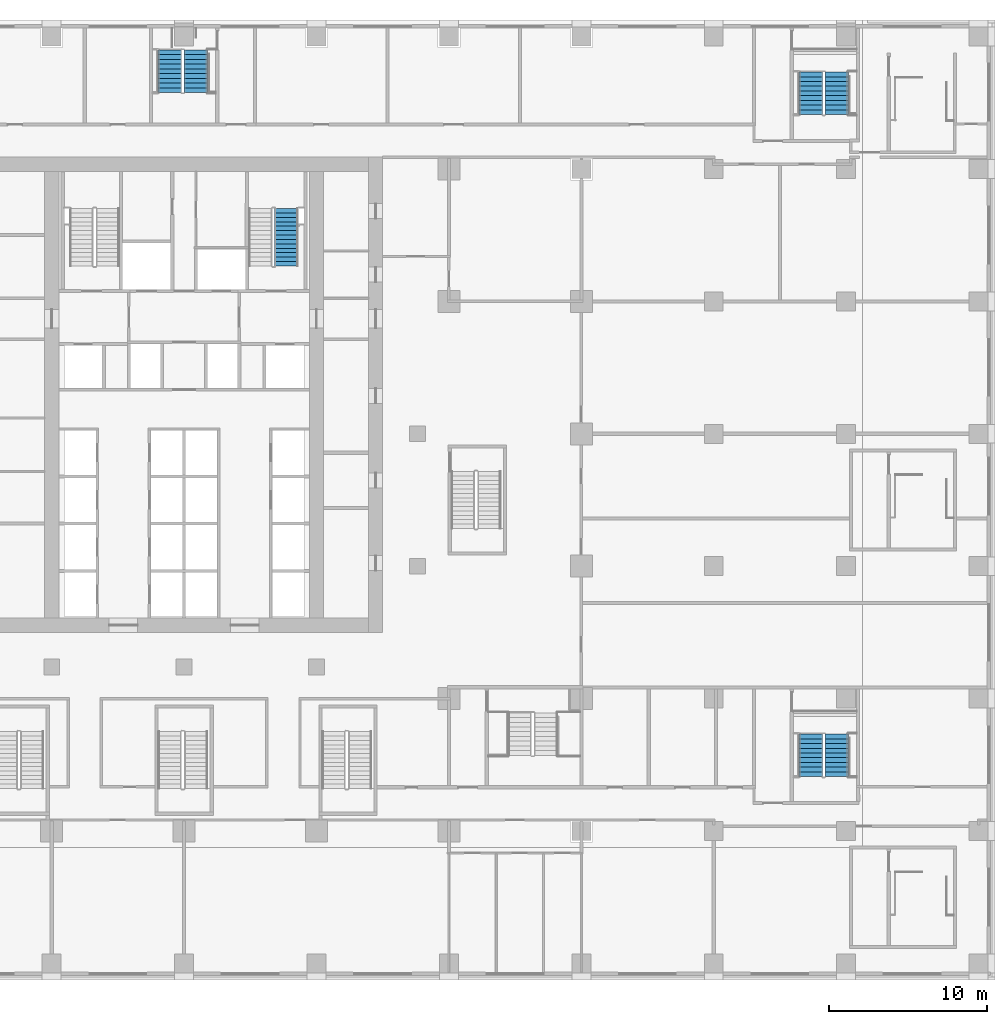
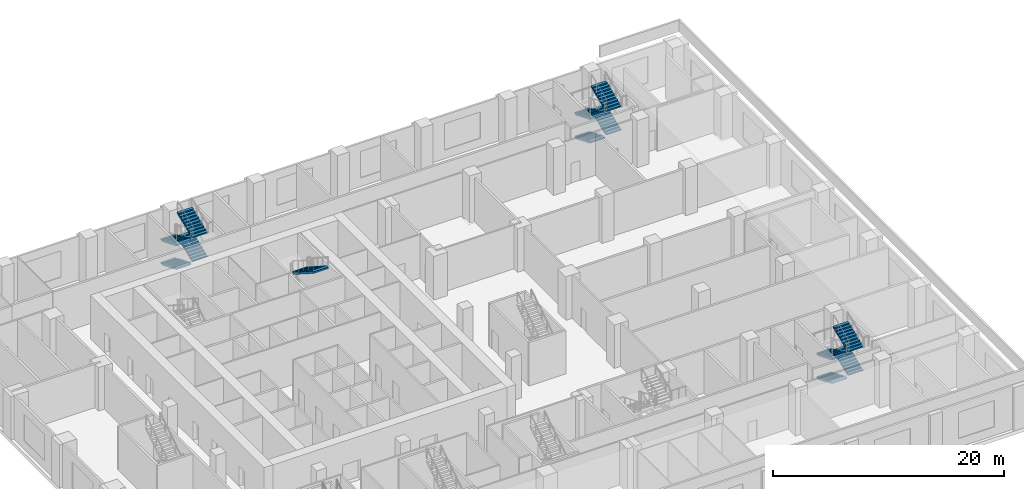
# One storey, part 14 of 23: 13 stair flights, 4 elements without a shape of their own.
"""IFC4 building model written with IfcOpenShell, lengths in metres."""

import ifcopenshell
import ifcopenshell.guid

model = None  # the IFC model being written
_history = None  # IfcOwnerHistory: only IFC2X3 demands one
_inside = {}  # id of a spatial element -> (the spatial element, [elements in it])
_under = {}  # id of a project, library or spatial element -> (it, [spatial elements below it])
_declared = {}  # id of a project -> (the project, [libraries it declares])
_typed = {}  # id of a type object -> (the type object, [elements of that type])
_made_of = {}  # id of a material, layer set ... -> (it, [elements and type objects made of it])


def new_model(schema):
    """Start an empty IFC model of exactly this schema.

    Asked for "IFC4X3", IfcOpenShell would pick the latest addendum, in which some entities
    have other attributes; the version numbers below select the first issue.
    IFC2X3 requires an IfcOwnerHistory on every rooted entity: one is made here for all.
    """
    global model, _history
    if schema == "IFC4X3":
        model = ifcopenshell.file(schema_version=(4, 3, 0, 0))
    else:
        model = ifcopenshell.file(schema=schema)
    _inside.clear()
    _under.clear()
    _declared.clear()
    _typed.clear()
    _made_of.clear()
    _history = None
    if model.schema == "IFC2X3":
        org = make("IfcOrganization", Name="unknown")
        user = make(
            "IfcPersonAndOrganization",
            ThePerson=make("IfcPerson", FamilyName="unknown"),
            TheOrganization=org,
        )
        app = make(
            "IfcApplication",
            ApplicationDeveloper=org,
            Version="unknown",
            ApplicationFullName="unknown",
            ApplicationIdentifier="unknown",
        )
        _history = make(
            "IfcOwnerHistory",
            OwningUser=user,
            OwningApplication=app,
            ChangeAction="ADDED",
            CreationDate=0,
        )
    return model


def make(cls, **values):
    """One entity of the class cls with the attributes given. An attribute that is None is left unset."""
    return model.create_entity(
        cls, **{name: value for name, value in values.items() if value is not None}
    )


def rooted(cls, **values):
    """An entity with a GlobalId (a new one), such as an element, a storey or a relation."""
    return make(cls, GlobalId=ifcopenshell.guid.new(), OwnerHistory=_history, **values)


def si_unit(unit_type, name, prefix=None):
    """IfcSIUnit, for example si_unit("LENGTHUNIT", "METRE", prefix="MILLI")."""
    return make("IfcSIUnit", UnitType=unit_type, Prefix=prefix, Name=name)


def assignment(units):
    """IfcUnitAssignment: the units of a project."""
    return None if units is None else make("IfcUnitAssignment", Units=units)


def point(xyz):
    """IfcCartesianPoint."""
    return None if xyz is None else make("IfcCartesianPoint", Coordinates=xyz)


def direction(xyz):
    """IfcDirection."""
    return None if xyz is None else make("IfcDirection", DirectionRatios=xyz)


def frame(location, z_axis=None, x_axis=None):
    """IfcAxis2Placement3D, a coordinate frame: its origin and axes. An axis left out is left unset."""
    return make(
        "IfcAxis2Placement3D",
        Location=point(location),
        Axis=direction(z_axis),
        RefDirection=direction(x_axis),
    )


def origin():
    """The frame at (0, 0, 0) with its axes left unset."""
    return frame((0.0, 0.0, 0.0))


def place(relative_to, where):
    """IfcLocalPlacement: puts the frame where relative to a parent placement (None: the world)."""
    return make(
        "IfcLocalPlacement", PlacementRelTo=relative_to, RelativePlacement=where
    )


def context(
    kind, dimensions, precision=None, world=None, true_north=None, identifier=None
):
    """IfcGeometricRepresentationContext, for example the 3D "Model" context."""
    return make(
        "IfcGeometricRepresentationContext",
        ContextIdentifier=identifier,
        ContextType=kind,
        CoordinateSpaceDimension=dimensions,
        Precision=precision,
        WorldCoordinateSystem=world,
        TrueNorth=true_north,
    )


def subcontext(parent, identifier, kind, view, scale=None):
    """IfcGeometricRepresentationSubContext, for example "Body" below "Model"."""
    return make(
        "IfcGeometricRepresentationSubContext",
        ContextIdentifier=identifier,
        ContextType=kind,
        ParentContext=parent,
        TargetScale=scale,
        TargetView=view,
    )


def project(units=None, contexts=None):
    """IfcProject with its units and contexts."""
    return rooted(
        "IfcProject",
        Name="project",
        RepresentationContexts=contexts,
        UnitsInContext=assignment(units),
    )


def spatial(cls, under=None, at=None, **own):
    """A site, building, storey or space (cls), placed at a placement, below another one or the project."""
    s = rooted(cls, ObjectPlacement=at, **own)
    if under is not None:
        _under.setdefault(under.id(), (under, []))[1].append(s)
    return s


def polyline(points):
    """IfcPolyline through the points."""
    return make("IfcPolyline", Points=[point(p) for p in points])


def outline(outer, holes=None, kind="AREA"):
    """IfcArbitraryClosedProfileDef: a profile drawn as a closed curve; with holes, ...WithVoids."""
    if holes is None:
        return make("IfcArbitraryClosedProfileDef", ProfileType=kind, OuterCurve=outer)
    return make(
        "IfcArbitraryProfileDefWithVoids",
        ProfileType=kind,
        OuterCurve=outer,
        InnerCurves=holes,
    )


def extrude(swept, where, along, depth):
    """IfcExtrudedAreaSolid: the profile swept, set in the frame where, extruded along a direction by depth."""
    return make(
        "IfcExtrudedAreaSolid",
        SweptArea=swept,
        Position=where,
        ExtrudedDirection=direction(along),
        Depth=depth,
    )


def shape(context_of_items, identifier, shape_type, items):
    """IfcShapeRepresentation: the items that make up one representation, for example the "Body"."""
    return make(
        "IfcShapeRepresentation",
        ContextOfItems=context_of_items,
        RepresentationIdentifier=identifier,
        RepresentationType=shape_type,
        Items=items,
    )


def material(Name=None, Category=None):
    """IfcMaterial."""
    return make("IfcMaterial", Name=Name, Category=Category)


def made_of(thing, what):
    """Note that an element or type object is made of a material, layer set ...; save() writes the relation."""
    if what is not None:
        _made_of.setdefault(what.id(), (what, []))[1].append(thing)
    return thing


def type_object(cls, material=None, **own):
    """A type object (cls), such as IfcWallType, which elements share."""
    return made_of(rooted(cls, **own), material)


def element(
    cls,
    number,
    at=None,
    inside=None,
    cuts=None,
    type_object=None,
    material=None,
    context=None,
    identifier="Body",
    shape_type=None,
    held_by="IfcProductDefinitionShape",
    body=None,
    shapes=None,
    **own,
):
    """One element of the class cls, such as IfcWall. Its Tag is "e" and its number.

    at: its placement. inside: the storey or other place that contains it. cuts: it is an
    opening in that element (IfcRelVoidsElement). A single representation is given by context,
    identifier, shape_type and body (its items); several are given by shapes. held_by: the class
    of the entity that holds the representations. save() writes the other relations.
    """
    e = rooted(cls, Tag="e%d" % number, ObjectPlacement=at, **own)
    if body is not None:
        shapes = [shape(context, identifier, shape_type, body)]
    if shapes is not None:
        e.Representation = make(held_by, Representations=shapes)
    if inside is not None:
        _inside.setdefault(inside.id(), (inside, []))[1].append(e)
    if cuts is not None:
        rooted(
            "IfcRelVoidsElement", RelatingBuildingElement=cuts, RelatedOpeningElement=e
        )
    if type_object is not None:
        _typed.setdefault(type_object.id(), (type_object, []))[1].append(e)
    return made_of(e, material)


def aggregate(whole, parts):
    """IfcRelAggregates: a whole, such as a stair, and the parts it consists of."""
    return rooted("IfcRelAggregates", RelatingObject=whole, RelatedObjects=parts)


def save(model, path):
    """Write the relations noted so far, then the file.

    IfcRelAggregates (storeys below a building ...), IfcRelContainedInSpatialStructure (elements
    in a storey), IfcRelDefinesByType, IfcRelAssociatesMaterial and IfcRelDeclares: one each for
    every whole, place, type object, material and project.
    """
    for whole, parts in _under.values():
        aggregate(whole, parts)
    for where, things in _inside.values():
        rooted(
            "IfcRelContainedInSpatialStructure",
            RelatedElements=things,
            RelatingStructure=where,
        )
    for kind, things in _typed.values():
        rooted("IfcRelDefinesByType", RelatedObjects=things, RelatingType=kind)
    for what, things in _made_of.values():
        rooted("IfcRelAssociatesMaterial", RelatedObjects=things, RelatingMaterial=what)
    for by, libraries in _declared.values():
        rooted("IfcRelDeclares", RelatingContext=by, RelatedDefinitions=libraries)
    model.write(path)


model = new_model("IFC4")

# Units and contexts
model_context = context("Model", 3, precision=1e-05, world=origin(), true_north=direction((0.0, 1.0)))
body_context = subcontext(model_context, "Body", "Model", "MODEL_VIEW")
ifc_project = project(units=[si_unit("LENGTHUNIT", "METRE"), si_unit("AREAUNIT", "SQUARE_METRE"), si_unit("VOLUMEUNIT", "CUBIC_METRE"), si_unit("PLANEANGLEUNIT", "RADIAN"), si_unit("MASSUNIT", "GRAM", prefix="KILO")], contexts=[model_context])

# Site, building, storey
site_placement = place(None, origin())
site = spatial("IfcSite", under=ifc_project, at=site_placement, CompositionType="ELEMENT")
building_placement = place(site_placement, origin())
building = spatial("IfcBuilding", under=site, at=building_placement, Name="Vermilion Ogive Tower", CompositionType="ELEMENT")
storey_placement = place(building_placement, frame((0.0, 0.0, 20.0)))
storey = spatial("IfcBuildingStorey", under=building, at=storey_placement, Name="L03", CompositionType="ELEMENT", Elevation=20.0)

# Stair, stair flight
ifc_material_1 = material(Name="Concrete B40", Category="concrete")
stair_type = type_object("IfcStairType", Name="Exit stair 1500", PredefinedType="HALF_TURN_STAIR", material=ifc_material_1)
stair_1_placement = place(storey_placement, origin())
stair_1 = element("IfcStair", 1, at=stair_1_placement, inside=storey, type_object=stair_type, Name="L03 Exit Stair ST2", PredefinedType="HALF_TURN_STAIR")
ifc_material_2 = material(Name="Concrete B40", Category="concrete")
stair_flight_type = type_object("IfcStairFlightType", Name="Stair flight 1500", PredefinedType="STRAIGHT", material=ifc_material_2)
stair_flight_1_placement = place(storey_placement, frame((6.5, 18.489990234375, 2.5), z_axis=(0.0, 0.0, 1.0), x_axis=(0.0, -1.0, 0.0)))
stair_flight_1 = element("IfcStairFlight", 2, at=stair_flight_1_placement, type_object=stair_flight_type, Name="ST2 flight 2", NumberOfRisers=14, NumberOfTreads=13, PredefinedType="STRAIGHT", RiserHeight=0.178571429, TreadLength=0.28, context=body_context, shape_type="SweptSolid", body=[
    extrude(outline(polyline([(0.0, 0.0), (0.0, 0.178466796875), (0.280029296875, 0.178466796875), (0.280029296875, 0.357177734375), (0.56005859375, 0.357177734375), (0.56005859375, 0.53564453125), (0.840087890625, 0.53564453125), (0.840087890625, 0.71435546875), (1.1201171875, 0.71435546875), (1.1201171875, 0.892822265625), (1.39990234375, 0.892822265625), (1.39990234375, 1.071533203125), (1.679931640625, 1.071533203125), (1.679931640625, 1.25), (1.9599609375, 1.25), (1.9599609375, 1.428466796875), (2.239990234375, 1.428466796875), (2.239990234375, 1.607177734375), (2.52001953125, 1.607177734375), (2.52001953125, 1.78564453125), (2.800048828125, 1.78564453125), (2.800048828125, 1.96435546875), (3.080078125, 1.96435546875), (3.080078125, 2.142822265625), (3.360107421875, 2.142822265625), (3.360107421875, 2.321533203125), (3.639892578125, 2.321533203125), (3.639892578125, 2.5), (3.639892578125, 2.1435546875), (0.27880859375, 0.0), (0.0, 0.0)])), frame((0.0, 0.75, 0.0), z_axis=(0.0, -1.0, 0.0), x_axis=(1.0, 0.0, 0.0)), (0.0, 0.0, 1.0), 1.5),
])
aggregate(stair_1, [stair_flight_1])

# Stair, stair flights
stair_2_placement = place(storey_placement, origin())
stair_2 = element("IfcStair", 3, at=stair_2_placement, inside=storey, type_object=stair_type, Name="L03 Exit Stair PS2", PredefinedType="HALF_TURN_STAIR")
stair_flight_2_placement = place(storey_placement, frame((39.75, 27.14990234375, 0.0), z_axis=(0.0, 0.0, 1.0), x_axis=(0.0, -1.0, 0.0)))
stair_flight_2 = element("IfcStairFlight", 4, at=stair_flight_2_placement, type_object=stair_flight_type, Name="PS2 flight 1", NumberOfRisers=10, NumberOfTreads=9, PredefinedType="STRAIGHT", RiserHeight=0.125, TreadLength=0.3, context=body_context, shape_type="SweptSolid", body=[
    extrude(outline(polyline([(0.0, 0.0), (0.0, 0.125), (0.300048828125, 0.125), (0.300048828125, 0.25), (0.60009765625, 0.25), (0.60009765625, 0.375), (0.89990234375, 0.375), (0.89990234375, 0.5), (1.199951171875, 0.5), (1.199951171875, 0.625), (1.5, 0.625), (1.5, 0.75), (1.800048828125, 0.75), (1.800048828125, 0.875), (2.10009765625, 0.875), (2.10009765625, 1.0), (2.39990234375, 1.0), (2.39990234375, 1.125), (2.699951171875, 1.125), (2.699951171875, 1.25), (2.699951171875, 0.962646484375), (0.3896484375, 0.0), (0.0, 0.0)])), frame((0.0, 0.75, 0.0), z_axis=(0.0, -1.0, 0.0), x_axis=(1.0, 0.0, 0.0)), (0.0, 0.0, 1.0), 1.5),
])
stair_flight_3_placement = place(storey_placement, frame((41.39990234375, 24.449951171875, 1.25), z_axis=(0.0, 0.0, 1.0), x_axis=(0.0, 1.0, 0.0)))
stair_flight_3 = element("IfcStairFlight", 5, at=stair_flight_3_placement, type_object=stair_flight_type, Name="PS2 flight 2", NumberOfRisers=10, NumberOfTreads=9, PredefinedType="STRAIGHT", RiserHeight=0.125, TreadLength=0.3, context=body_context, shape_type="SweptSolid", body=[
    extrude(outline(polyline([(0.0, 0.0), (0.0, 0.125), (0.300048828125, 0.125), (0.300048828125, 0.25), (0.60009765625, 0.25), (0.60009765625, 0.375), (0.89990234375, 0.375), (0.89990234375, 0.5), (1.199951171875, 0.5), (1.199951171875, 0.625), (1.5, 0.625), (1.5, 0.75), (1.800048828125, 0.75), (1.800048828125, 0.875), (2.10009765625, 0.875), (2.10009765625, 1.0), (2.39990234375, 1.0), (2.39990234375, 1.125), (2.699951171875, 1.125), (2.699951171875, 1.25), (2.699951171875, 0.962646484375), (0.3896484375, 0.0), (0.0, 0.0)])), frame((0.0, 0.75, 0.0), z_axis=(0.0, -1.0, 0.0), x_axis=(1.0, 0.0, 0.0)), (0.0, 0.0, 1.0), 1.5),
])
stair_flight_4_placement = place(storey_placement, frame((39.75, 27.14990234375, 2.5), z_axis=(0.0, 0.0, 1.0), x_axis=(0.0, -1.0, 0.0)))
stair_flight_4 = element("IfcStairFlight", 6, at=stair_flight_4_placement, type_object=stair_flight_type, Name="PS2 flight 3", NumberOfRisers=10, NumberOfTreads=9, PredefinedType="STRAIGHT", RiserHeight=0.125, TreadLength=0.3, context=body_context, shape_type="SweptSolid", body=[
    extrude(outline(polyline([(0.0, 0.0), (0.0, 0.125), (0.300048828125, 0.125), (0.300048828125, 0.25), (0.60009765625, 0.25), (0.60009765625, 0.375), (0.89990234375, 0.375), (0.89990234375, 0.5), (1.199951171875, 0.5), (1.199951171875, 0.625), (1.5, 0.625), (1.5, 0.75), (1.800048828125, 0.75), (1.800048828125, 0.875), (2.10009765625, 0.875), (2.10009765625, 1.0), (2.39990234375, 1.0), (2.39990234375, 1.125), (2.699951171875, 1.125), (2.699951171875, 1.25), (2.699951171875, 0.962646484375), (0.3896484375, 0.0), (0.0, 0.0)])), frame((0.0, 0.75, 0.0), z_axis=(0.0, -1.0, 0.0), x_axis=(1.0, 0.0, 0.0)), (0.0, 0.0, 1.0), 1.5),
])
stair_flight_5_placement = place(storey_placement, frame((41.39990234375, 24.449951171875, 3.75), z_axis=(0.0, 0.0, 1.0), x_axis=(0.0, 1.0, 0.0)))
stair_flight_5 = element("IfcStairFlight", 7, at=stair_flight_5_placement, type_object=stair_flight_type, Name="PS2 flight 4", NumberOfRisers=10, NumberOfTreads=9, PredefinedType="STRAIGHT", RiserHeight=0.125, TreadLength=0.3, context=body_context, shape_type="SweptSolid", body=[
    extrude(outline(polyline([(0.0, 0.0), (0.0, 0.125), (0.300048828125, 0.125), (0.300048828125, 0.25), (0.60009765625, 0.25), (0.60009765625, 0.375), (0.89990234375, 0.375), (0.89990234375, 0.5), (1.199951171875, 0.5), (1.199951171875, 0.625), (1.5, 0.625), (1.5, 0.75), (1.800048828125, 0.75), (1.800048828125, 0.875), (2.10009765625, 0.875), (2.10009765625, 1.0), (2.39990234375, 1.0), (2.39990234375, 1.125), (2.699951171875, 1.125), (2.699951171875, 1.25), (2.699951171875, 0.962646484375), (0.3896484375, 0.0), (0.0, 0.0)])), frame((0.0, 0.75, 0.0), z_axis=(0.0, -1.0, 0.0), x_axis=(1.0, 0.0, 0.0)), (0.0, 0.0, 1.0), 1.5),
])
aggregate(stair_2, [stair_flight_2, stair_flight_3, stair_flight_4, stair_flight_5])

stair_3_placement = place(storey_placement, origin())
stair_3 = element("IfcStair", 8, at=stair_3_placement, inside=storey, type_object=stair_type, Name="L03 Exit Stair PS5", PredefinedType="HALF_TURN_STAIR")
stair_flight_6_placement = place(storey_placement, frame((-0.89990234375, 28.550048828125, 0.0), z_axis=(0.0, 0.0, 1.0), x_axis=(0.0, -1.0, 0.0)))
stair_flight_6 = element("IfcStairFlight", 9, at=stair_flight_6_placement, type_object=stair_flight_type, Name="PS5 flight 1", NumberOfRisers=10, NumberOfTreads=9, PredefinedType="STRAIGHT", RiserHeight=0.125, TreadLength=0.3, context=body_context, shape_type="SweptSolid", body=[
    extrude(outline(polyline([(0.0, 0.0), (0.0, 0.125), (0.300048828125, 0.125), (0.300048828125, 0.25), (0.60009765625, 0.25), (0.60009765625, 0.375), (0.89990234375, 0.375), (0.89990234375, 0.5), (1.199951171875, 0.5), (1.199951171875, 0.625), (1.5, 0.625), (1.5, 0.75), (1.800048828125, 0.75), (1.800048828125, 0.875), (2.10009765625, 0.875), (2.10009765625, 1.0), (2.39990234375, 1.0), (2.39990234375, 1.125), (2.699951171875, 1.125), (2.699951171875, 1.25), (2.699951171875, 0.962646484375), (0.3896484375, 0.0), (0.0, 0.0)])), frame((0.0, 0.75, 0.0), z_axis=(0.0, -1.0, 0.0), x_axis=(1.0, 0.0, 0.0)), (0.0, 0.0, 1.0), 1.5),
])
stair_flight_7_placement = place(storey_placement, frame((0.75, 25.85009765625, 1.25), z_axis=(0.0, 0.0, 1.0), x_axis=(0.0, 1.0, 0.0)))
stair_flight_7 = element("IfcStairFlight", 10, at=stair_flight_7_placement, type_object=stair_flight_type, Name="PS5 flight 2", NumberOfRisers=10, NumberOfTreads=9, PredefinedType="STRAIGHT", RiserHeight=0.125, TreadLength=0.3, context=body_context, shape_type="SweptSolid", body=[
    extrude(outline(polyline([(0.0, 0.0), (0.0, 0.125), (0.300048828125, 0.125), (0.300048828125, 0.25), (0.60009765625, 0.25), (0.60009765625, 0.375), (0.89990234375, 0.375), (0.89990234375, 0.5), (1.199951171875, 0.5), (1.199951171875, 0.625), (1.5, 0.625), (1.5, 0.75), (1.800048828125, 0.75), (1.800048828125, 0.875), (2.10009765625, 0.875), (2.10009765625, 1.0), (2.39990234375, 1.0), (2.39990234375, 1.125), (2.699951171875, 1.125), (2.699951171875, 1.25), (2.699951171875, 0.962646484375), (0.3896484375, 0.0), (0.0, 0.0)])), frame((0.0, 0.75, 0.0), z_axis=(0.0, -1.0, 0.0), x_axis=(1.0, 0.0, 0.0)), (0.0, 0.0, 1.0), 1.5),
])
stair_flight_8_placement = place(storey_placement, frame((-0.89990234375, 28.550048828125, 2.5), z_axis=(0.0, 0.0, 1.0), x_axis=(0.0, -1.0, 0.0)))
stair_flight_8 = element("IfcStairFlight", 11, at=stair_flight_8_placement, type_object=stair_flight_type, Name="PS5 flight 3", NumberOfRisers=10, NumberOfTreads=9, PredefinedType="STRAIGHT", RiserHeight=0.125, TreadLength=0.3, context=body_context, shape_type="SweptSolid", body=[
    extrude(outline(polyline([(0.0, 0.0), (0.0, 0.125), (0.300048828125, 0.125), (0.300048828125, 0.25), (0.60009765625, 0.25), (0.60009765625, 0.375), (0.89990234375, 0.375), (0.89990234375, 0.5), (1.199951171875, 0.5), (1.199951171875, 0.625), (1.5, 0.625), (1.5, 0.75), (1.800048828125, 0.75), (1.800048828125, 0.875), (2.10009765625, 0.875), (2.10009765625, 1.0), (2.39990234375, 1.0), (2.39990234375, 1.125), (2.699951171875, 1.125), (2.699951171875, 1.25), (2.699951171875, 0.962646484375), (0.3896484375, 0.0), (0.0, 0.0)])), frame((0.0, 0.75, 0.0), z_axis=(0.0, -1.0, 0.0), x_axis=(1.0, 0.0, 0.0)), (0.0, 0.0, 1.0), 1.5),
])
stair_flight_9_placement = place(storey_placement, frame((0.75, 25.85009765625, 3.75), z_axis=(0.0, 0.0, 1.0), x_axis=(0.0, 1.0, 0.0)))
stair_flight_9 = element("IfcStairFlight", 12, at=stair_flight_9_placement, type_object=stair_flight_type, Name="PS5 flight 4", NumberOfRisers=10, NumberOfTreads=9, PredefinedType="STRAIGHT", RiserHeight=0.125, TreadLength=0.3, context=body_context, shape_type="SweptSolid", body=[
    extrude(outline(polyline([(0.0, 0.0), (0.0, 0.125), (0.300048828125, 0.125), (0.300048828125, 0.25), (0.60009765625, 0.25), (0.60009765625, 0.375), (0.89990234375, 0.375), (0.89990234375, 0.5), (1.199951171875, 0.5), (1.199951171875, 0.625), (1.5, 0.625), (1.5, 0.75), (1.800048828125, 0.75), (1.800048828125, 0.875), (2.10009765625, 0.875), (2.10009765625, 1.0), (2.39990234375, 1.0), (2.39990234375, 1.125), (2.699951171875, 1.125), (2.699951171875, 1.25), (2.699951171875, 0.962646484375), (0.3896484375, 0.0), (0.0, 0.0)])), frame((0.0, 0.75, 0.0), z_axis=(0.0, -1.0, 0.0), x_axis=(1.0, 0.0, 0.0)), (0.0, 0.0, 1.0), 1.5),
])
aggregate(stair_3, [stair_flight_6, stair_flight_7, stair_flight_8, stair_flight_9])

stair_4_placement = place(storey_placement, origin())
stair_4 = element("IfcStair", 13, at=stair_4_placement, inside=storey, type_object=stair_type, Name="L03 Exit Stair PS6", PredefinedType="HALF_TURN_STAIR")
stair_flight_10_placement = place(storey_placement, frame((39.75, -14.85009765625, 0.0), z_axis=(0.0, 0.0, 1.0), x_axis=(0.0, -1.0, 0.0)))
stair_flight_10 = element("IfcStairFlight", 14, at=stair_flight_10_placement, type_object=stair_flight_type, Name="PS6 flight 1", NumberOfRisers=10, NumberOfTreads=9, PredefinedType="STRAIGHT", RiserHeight=0.125, TreadLength=0.3, context=body_context, shape_type="SweptSolid", body=[
    extrude(outline(polyline([(0.0, 0.0), (0.0, 0.125), (0.300048828125, 0.125), (0.300048828125, 0.25), (0.60009765625, 0.25), (0.60009765625, 0.375), (0.89990234375, 0.375), (0.89990234375, 0.5), (1.199951171875, 0.5), (1.199951171875, 0.625), (1.5, 0.625), (1.5, 0.75), (1.800048828125, 0.75), (1.800048828125, 0.875), (2.10009765625, 0.875), (2.10009765625, 1.0), (2.39990234375, 1.0), (2.39990234375, 1.125), (2.699951171875, 1.125), (2.699951171875, 1.25), (2.699951171875, 0.962646484375), (0.3896484375, 0.0), (0.0, 0.0)])), frame((0.0, 0.75, 0.0), z_axis=(0.0, -1.0, 0.0), x_axis=(1.0, 0.0, 0.0)), (0.0, 0.0, 1.0), 1.5),
])
stair_flight_11_placement = place(storey_placement, frame((41.39990234375, -17.550048828125, 1.25), z_axis=(0.0, 0.0, 1.0), x_axis=(0.0, 1.0, 0.0)))
stair_flight_11 = element("IfcStairFlight", 15, at=stair_flight_11_placement, type_object=stair_flight_type, Name="PS6 flight 2", NumberOfRisers=10, NumberOfTreads=9, PredefinedType="STRAIGHT", RiserHeight=0.125, TreadLength=0.3, context=body_context, shape_type="SweptSolid", body=[
    extrude(outline(polyline([(0.0, 0.0), (0.0, 0.125), (0.300048828125, 0.125), (0.300048828125, 0.25), (0.60009765625, 0.25), (0.60009765625, 0.375), (0.89990234375, 0.375), (0.89990234375, 0.5), (1.199951171875, 0.5), (1.199951171875, 0.625), (1.5, 0.625), (1.5, 0.75), (1.800048828125, 0.75), (1.800048828125, 0.875), (2.10009765625, 0.875), (2.10009765625, 1.0), (2.39990234375, 1.0), (2.39990234375, 1.125), (2.699951171875, 1.125), (2.699951171875, 1.25), (2.699951171875, 0.962646484375), (0.3896484375, 0.0), (0.0, 0.0)])), frame((0.0, 0.75, 0.0), z_axis=(0.0, -1.0, 0.0), x_axis=(1.0, 0.0, 0.0)), (0.0, 0.0, 1.0), 1.5),
])
stair_flight_12_placement = place(storey_placement, frame((39.75, -14.85009765625, 2.5), z_axis=(0.0, 0.0, 1.0), x_axis=(0.0, -1.0, 0.0)))
stair_flight_12 = element("IfcStairFlight", 16, at=stair_flight_12_placement, type_object=stair_flight_type, Name="PS6 flight 3", NumberOfRisers=10, NumberOfTreads=9, PredefinedType="STRAIGHT", RiserHeight=0.125, TreadLength=0.3, context=body_context, shape_type="SweptSolid", body=[
    extrude(outline(polyline([(0.0, 0.0), (0.0, 0.125), (0.300048828125, 0.125), (0.300048828125, 0.25), (0.60009765625, 0.25), (0.60009765625, 0.375), (0.89990234375, 0.375), (0.89990234375, 0.5), (1.199951171875, 0.5), (1.199951171875, 0.625), (1.5, 0.625), (1.5, 0.75), (1.800048828125, 0.75), (1.800048828125, 0.875), (2.10009765625, 0.875), (2.10009765625, 1.0), (2.39990234375, 1.0), (2.39990234375, 1.125), (2.699951171875, 1.125), (2.699951171875, 1.25), (2.699951171875, 0.962646484375), (0.3896484375, 0.0), (0.0, 0.0)])), frame((0.0, 0.75, 0.0), z_axis=(0.0, -1.0, 0.0), x_axis=(1.0, 0.0, 0.0)), (0.0, 0.0, 1.0), 1.5),
])
stair_flight_13_placement = place(storey_placement, frame((41.39990234375, -17.550048828125, 3.75), z_axis=(0.0, 0.0, 1.0), x_axis=(0.0, 1.0, 0.0)))
stair_flight_13 = element("IfcStairFlight", 17, at=stair_flight_13_placement, type_object=stair_flight_type, Name="PS6 flight 4", NumberOfRisers=10, NumberOfTreads=9, PredefinedType="STRAIGHT", RiserHeight=0.125, TreadLength=0.3, context=body_context, shape_type="SweptSolid", body=[
    extrude(outline(polyline([(0.0, 0.0), (0.0, 0.125), (0.300048828125, 0.125), (0.300048828125, 0.25), (0.60009765625, 0.25), (0.60009765625, 0.375), (0.89990234375, 0.375), (0.89990234375, 0.5), (1.199951171875, 0.5), (1.199951171875, 0.625), (1.5, 0.625), (1.5, 0.75), (1.800048828125, 0.75), (1.800048828125, 0.875), (2.10009765625, 0.875), (2.10009765625, 1.0), (2.39990234375, 1.0), (2.39990234375, 1.125), (2.699951171875, 1.125), (2.699951171875, 1.25), (2.699951171875, 0.962646484375), (0.3896484375, 0.0), (0.0, 0.0)])), frame((0.0, 0.75, 0.0), z_axis=(0.0, -1.0, 0.0), x_axis=(1.0, 0.0, 0.0)), (0.0, 0.0, 1.0), 1.5),
])
aggregate(stair_4, [stair_flight_10, stair_flight_11, stair_flight_12, stair_flight_13])

save(model, "model.ifc")
